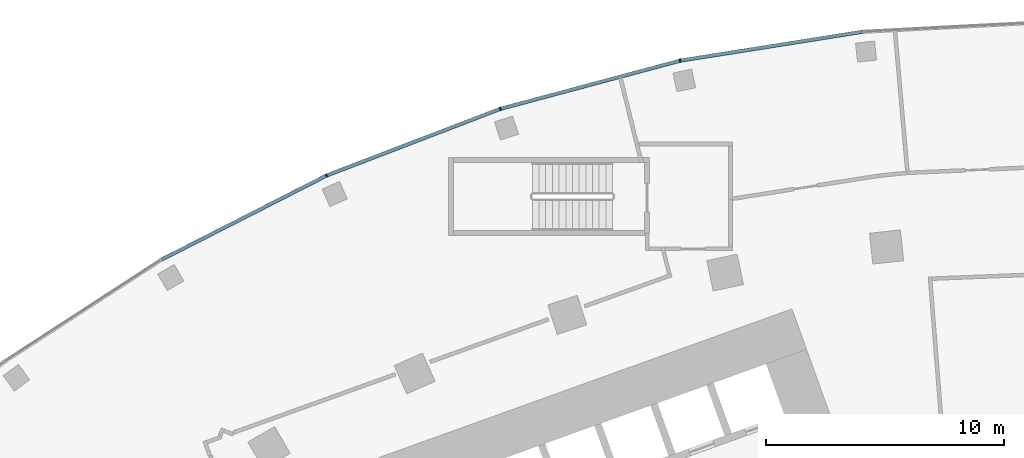
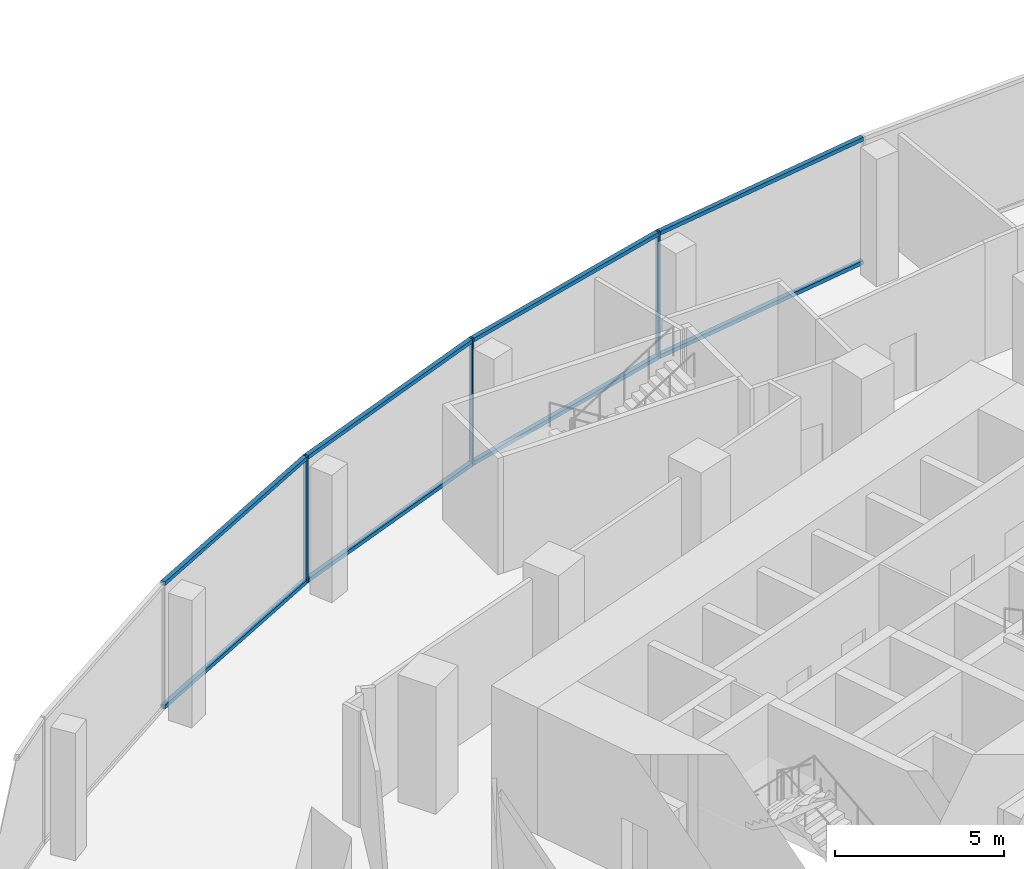
# One storey, part 7 of 39: 11 members, 1 element without a shape of its own.
"""IFC4 building model written with IfcOpenShell, lengths in metres."""

from ifc_helpers import new_model, si_unit, direction, frame, origin, origin_2d, place, context, subcontext, project, spatial, rectangle, extrude, material, layer, layer_set, material_profile, profile_set, type_object, element, aggregate, save


model = new_model("IFC4")

# Units and contexts
model_context = context("Model", 3, precision=1e-05, world=origin(), true_north=direction((0.0, 1.0)))
body_context = subcontext(model_context, "Body", "Model", "MODEL_VIEW")
ifc_project = project(units=[si_unit("LENGTHUNIT", "METRE"), si_unit("AREAUNIT", "SQUARE_METRE"), si_unit("VOLUMEUNIT", "CUBIC_METRE"), si_unit("PLANEANGLEUNIT", "RADIAN"), si_unit("MASSUNIT", "GRAM", prefix="KILO")], contexts=[model_context])

# Site, building, storey
site_placement = place(None, origin())
site = spatial("IfcSite", under=ifc_project, at=site_placement, CompositionType="ELEMENT")
building_placement = place(site_placement, origin())
building = spatial("IfcBuilding", under=site, at=building_placement, Name="Stone Belt Terrace Tower", CompositionType="ELEMENT")
storey_placement = place(building_placement, frame((0.0, 0.0, 16.199951171875)))
storey = spatial("IfcBuildingStorey", under=building, at=storey_placement, Name="L03", CompositionType="ELEMENT", Elevation=16.199951171875)

# Curtain wall, members
ifc_material = material(Name="Aluminium 6063-T6 anodised frame", Category="aluminium")
ifc_layer = layer(ifc_material, 0.14990234375)
ifc_layer_set = layer_set([ifc_layer], Name="CW-D podium shopfront")
curtain_wall_type = type_object("IfcCurtainWallType", Name="CW-D podium shopfront", PredefinedType="NOTDEFINED", material=ifc_layer_set)
curtain_wall_placement = place(storey_placement, origin())
curtain_wall = element("IfcCurtainWall", 1, at=curtain_wall_placement, inside=storey, type_object=curtain_wall_type, Name="CW-D convex face L03", PredefinedType="NOTDEFINED")
ifc_material_profile_1 = material_profile(ifc_material, rectangle(XDim=0.14990234375, YDim=0.06005859375, at=origin_2d()), Name="Aluminium 6063-T6 60x150")
ifc_profile_set_1 = profile_set([ifc_material_profile_1], Name="Aluminium 6063-T6 anodised frame")
member_type_1 = type_object("IfcMemberType", Name="CW-D mullion 60 x 150", PredefinedType="MULLION", material=ifc_profile_set_1)
member_1_placement = place(storey_placement, frame((-15.505126953125, 72.945556640625, 0.0), z_axis=(0.0, 0.0, 1.0), x_axis=(0.207911690818, -0.978147600734, 0.0)))
member_1 = element("IfcMember", 2, at=member_1_placement, type_object=member_type_1, Name="CW-D mullion 15", PredefinedType="MULLION", context=body_context, shape_type="SweptSolid", body=[
    extrude(rectangle(XDim=0.14990234375, YDim=0.06005859375, at=origin_2d()), origin(), (0.0, 0.0, 1.0), 4.60009765625),
])
member_2_placement = place(storey_placement, frame((-23.044921875, 70.925048828125, 0.0), z_axis=(0.0, 0.0, 1.0), x_axis=(0.309016994375, -0.951056516295, 0.0)))
member_2 = element("IfcMember", 3, at=member_2_placement, type_object=member_type_1, Name="CW-D mullion 16", PredefinedType="MULLION", context=body_context, shape_type="SweptSolid", body=[
    extrude(rectangle(XDim=0.14990234375, YDim=0.06005859375, at=origin_2d()), origin(), (0.0, 0.0, 1.0), 4.60009765625),
])
member_3_placement = place(storey_placement, frame((-30.33251953125, 68.127685546875, 0.0), z_axis=(0.0, 0.0, 1.0), x_axis=(0.406736643076, -0.913545457643, 0.0)))
member_3 = element("IfcMember", 4, at=member_3_placement, type_object=member_type_1, Name="CW-D mullion 17", PredefinedType="MULLION", context=body_context, shape_type="SweptSolid", body=[
    extrude(rectangle(XDim=0.14990234375, YDim=0.06005859375, at=origin_2d()), origin(), (0.0, 0.0, 1.0), 4.60009765625),
])
ifc_material_profile_2 = material_profile(ifc_material, rectangle(XDim=0.14990234375, YDim=0.139892578125, at=origin_2d()), Name="Aluminium 6063-T6 150x140")
ifc_profile_set_2 = profile_set([ifc_material_profile_2], Name="Aluminium 6063-T6 anodised frame")
member_type_2 = type_object("IfcMemberType", Name="CW-D transom 140 x 150", PredefinedType="USERDEFINED", material=ifc_profile_set_2)
member_4_placement = place(storey_placement, frame((-7.82861328125, 74.161376953125, 0.070068359375), z_axis=(-0.987685334162, -0.156453445733, 0.0), x_axis=(0.156453445733, -0.987685334162, 0.0)))
member_4 = element("IfcMember", 5, at=member_4_placement, type_object=member_type_2, Name="CW-D transom 14.1", ObjectType="TRANSOM", PredefinedType="USERDEFINED", context=body_context, shape_type="SweptSolid", body=[
    extrude(rectangle(XDim=0.14990234375, YDim=0.139892578125, at=origin_2d()), origin(), (0.0, 0.0, 1.0), 7.73828125),
])
member_5_placement = place(storey_placement, frame((-7.82861328125, 74.161376953125, 4.530029296875), z_axis=(-0.987685334162, -0.156453445733, 0.0), x_axis=(0.156453445733, -0.987685334162, 0.0)))
member_5 = element("IfcMember", 6, at=member_5_placement, type_object=member_type_2, Name="CW-D transom 14.2", ObjectType="TRANSOM", PredefinedType="USERDEFINED", context=body_context, shape_type="SweptSolid", body=[
    extrude(rectangle(XDim=0.14990234375, YDim=0.139892578125, at=origin_2d()), origin(), (0.0, 0.0, 1.0), 7.73828125),
])
member_6_placement = place(storey_placement, frame((-15.537841796875, 72.936767578125, 0.070068359375), z_axis=(-0.965920024897, -0.258840695223, 0.0), x_axis=(0.258840695223, -0.965920024897, 0.0)))
member_6 = element("IfcMember", 7, at=member_6_placement, type_object=member_type_2, Name="CW-D transom 15.1", ObjectType="TRANSOM", PredefinedType="USERDEFINED", context=body_context, shape_type="SweptSolid", body=[
    extrude(rectangle(XDim=0.14990234375, YDim=0.139892578125, at=origin_2d()), origin(), (0.0, 0.0, 1.0), 7.738037109375),
])
member_7_placement = place(storey_placement, frame((-15.537841796875, 72.936767578125, 4.530029296875), z_axis=(-0.965920024897, -0.258840695223, 0.0), x_axis=(0.258840695223, -0.965920024897, 0.0)))
member_7 = element("IfcMember", 8, at=member_7_placement, type_object=member_type_2, Name="CW-D transom 15.2", ObjectType="TRANSOM", PredefinedType="USERDEFINED", context=body_context, shape_type="SweptSolid", body=[
    extrude(rectangle(XDim=0.14990234375, YDim=0.139892578125, at=origin_2d()), origin(), (0.0, 0.0, 1.0), 7.738037109375),
])
member_8_placement = place(storey_placement, frame((-23.07666015625, 70.9130859375, 0.070068359375), z_axis=(-0.933575536994, -0.358380686878, 0.0), x_axis=(0.358380686878, -0.933575536994, 0.0)))
member_8 = element("IfcMember", 9, at=member_8_placement, type_object=member_type_2, Name="CW-D transom 16.1", ObjectType="TRANSOM", PredefinedType="USERDEFINED", context=body_context, shape_type="SweptSolid", body=[
    extrude(rectangle(XDim=0.14990234375, YDim=0.139892578125, at=origin_2d()), origin(), (0.0, 0.0, 1.0), 7.738037109375),
])
member_9_placement = place(storey_placement, frame((-23.07666015625, 70.9130859375, 4.530029296875), z_axis=(-0.933575536994, -0.358380686878, 0.0), x_axis=(0.358380686878, -0.933575536994, 0.0)))
member_9 = element("IfcMember", 10, at=member_9_placement, type_object=member_type_2, Name="CW-D transom 16.2", ObjectType="TRANSOM", PredefinedType="USERDEFINED", context=body_context, shape_type="SweptSolid", body=[
    extrude(rectangle(XDim=0.14990234375, YDim=0.139892578125, at=origin_2d()), origin(), (0.0, 0.0, 1.0), 7.738037109375),
])
member_10_placement = place(storey_placement, frame((-30.362548828125, 68.1123046875, 0.070068359375), z_axis=(-0.891013010183, -0.453977770034, 0.0), x_axis=(0.453977770034, -0.891013010183, 0.0)))
member_10 = element("IfcMember", 11, at=member_10_placement, type_object=member_type_2, Name="CW-D transom 17.1", ObjectType="TRANSOM", PredefinedType="USERDEFINED", context=body_context, shape_type="SweptSolid", body=[
    extrude(rectangle(XDim=0.14990234375, YDim=0.139892578125, at=origin_2d()), origin(), (0.0, 0.0, 1.0), 7.738037109375),
])
member_11_placement = place(storey_placement, frame((-30.362548828125, 68.1123046875, 4.530029296875), z_axis=(-0.891013010183, -0.453977770034, 0.0), x_axis=(0.453977770034, -0.891013010183, 0.0)))
member_11 = element("IfcMember", 12, at=member_11_placement, type_object=member_type_2, Name="CW-D transom 17.2", ObjectType="TRANSOM", PredefinedType="USERDEFINED", context=body_context, shape_type="SweptSolid", body=[
    extrude(rectangle(XDim=0.14990234375, YDim=0.139892578125, at=origin_2d()), origin(), (0.0, 0.0, 1.0), 7.738037109375),
])
aggregate(curtain_wall, [member_1, member_2, member_3, member_4, member_5, member_6, member_7, member_8, member_9, member_10, member_11])

save(model, "model.ifc")
